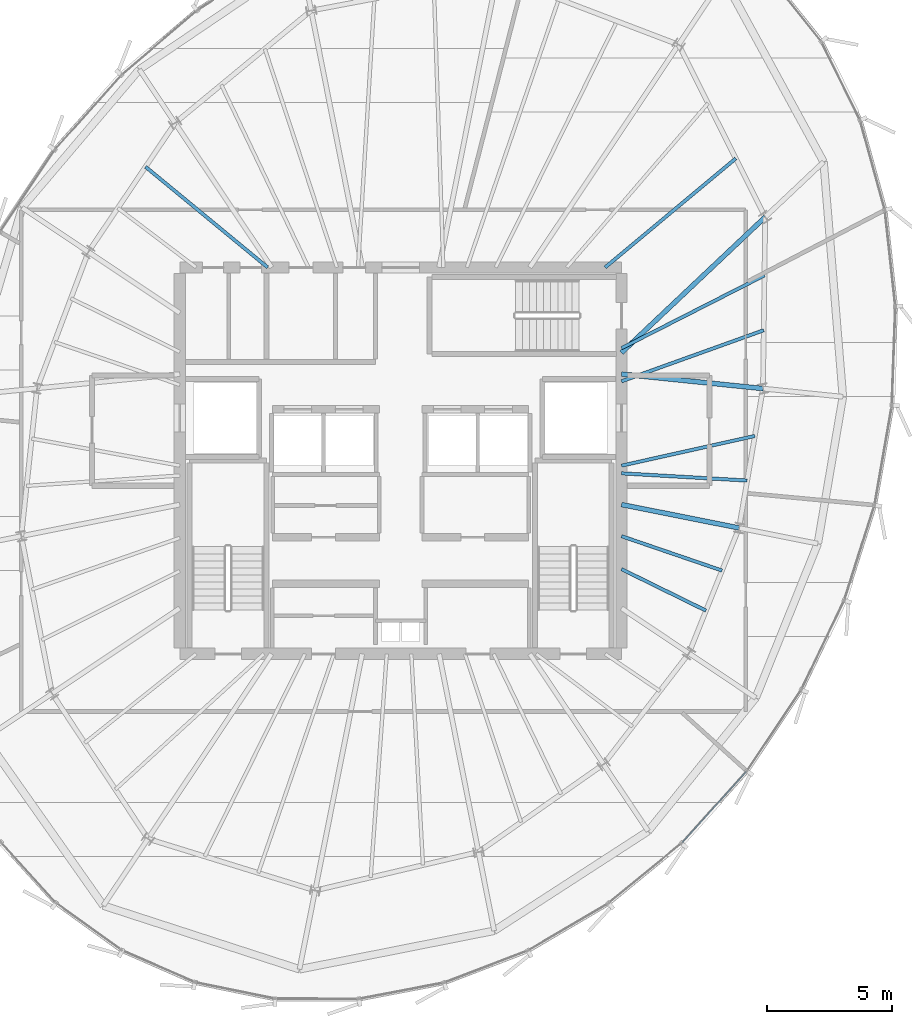
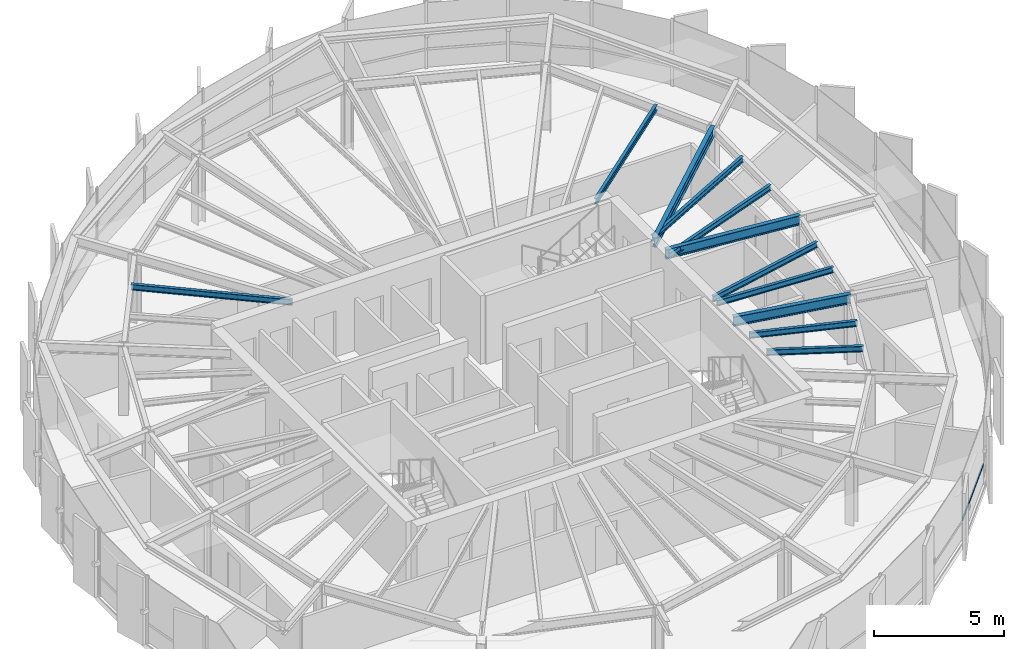
# One storey, part 13 of 31: 11 beams, 1 member, 1 element without a shape of its own.
"""IFC4 building model written with IfcOpenShell, lengths in metres."""

from ifc_helpers import new_model, si_unit, direction, frame, origin, origin_2d, place, context, subcontext, project, spatial, hollow_rectangle, i_section, extrude, source, transform, mapped, material, layer, layer_set, material_profile, profile_set, type_object, element, aggregate, save


model = new_model("IFC4")

# Units and contexts
model_context = context("Model", 3, precision=1e-05, world=origin(), true_north=direction((0.0, 1.0)))
body_context = subcontext(model_context, "Body", "Model", "MODEL_VIEW")
ifc_project = project(units=[si_unit("LENGTHUNIT", "METRE"), si_unit("AREAUNIT", "SQUARE_METRE"), si_unit("VOLUMEUNIT", "CUBIC_METRE"), si_unit("PLANEANGLEUNIT", "RADIAN"), si_unit("MASSUNIT", "GRAM", prefix="KILO"), si_unit("THERMODYNAMICTEMPERATUREUNIT", "KELVIN")], contexts=[model_context])

# Site, building, storey
site_placement = place(None, origin())
site = spatial("IfcSite", under=ifc_project, at=site_placement, CompositionType="ELEMENT")
building_placement = place(site_placement, origin())
building = spatial("IfcBuilding", under=site, at=building_placement, Name="Kethvar Cultural Tower", CompositionType="ELEMENT")
storey_placement = place(building_placement, frame((0.0, 0.0, 276.699951171875)))
storey = spatial("IfcBuildingStorey", under=building, at=storey_placement, Name="L73", CompositionType="ELEMENT", Elevation=276.699951171875)

# Beams
ifc_material_1 = material(Name="Steel S355J2", Category="steel")
ifc_material_profile_1 = material_profile(ifc_material_1, i_section(OverallWidth=0.18994140625, OverallDepth=0.449951171875, WebThickness=0.009521484375, FlangeThickness=0.0146484375, FilletRadius=0.02099609375, at=origin_2d()), Name="Steel S355J2 — IPE450")
ifc_profile_set_1 = profile_set([ifc_material_profile_1], Name="Steel S355J2 — IPE450")
beam_type_1 = type_object("IfcBeamType", Name="BM-IPE450", PredefinedType="BEAM", material=ifc_profile_set_1)
shared_shape_1 = source(origin(), body_context, "Body", "SweptSolid", [
    extrude(i_section(OverallWidth=0.18994140625, OverallDepth=0.449951171875, WebThickness=0.009521484375, FlangeThickness=0.0146484375, FilletRadius=0.02099609375, at=origin_2d()), origin(), (0.0, 0.0, 1.0), 5.66650390625),
])
beam_1_placement = place(storey_placement, frame((55.60009765625, 31.25, 2.983154296875), z_axis=(0.994777513459, -0.102067128476, 0.0), x_axis=(0.102067128476, 0.994777513459, 0.0)))
element("IfcBeam", 1, at=beam_1_placement, inside=storey, type_object=beam_type_1, Name="L73 Primary Radial Beam RB-01", PredefinedType="BEAM", context=body_context, shape_type="MappedRepresentation", body=[
    mapped(shared_shape_1, transform((0.0, 0.0, 0.0), scale=1.0)),
])
shared_shape_2 = source(origin(), body_context, "Body", "SweptSolid", [
    extrude(i_section(OverallWidth=0.18994140625, OverallDepth=0.449951171875, WebThickness=0.009521484375, FlangeThickness=0.0146484375, FilletRadius=0.02099609375, at=origin_2d()), origin(), (0.0, 0.0, 1.0), 7.874267578125),
])
beam_2_placement = place(storey_placement, frame((55.60009765625, 32.10009765625, 2.983154296875), z_axis=(0.727123202456, 0.686506990823, 0.0), x_axis=(-0.686506990823, 0.727123202456, 0.0)))
element("IfcBeam", 2, at=beam_2_placement, inside=storey, type_object=beam_type_1, Name="L73 Primary Radial Beam RB-02", PredefinedType="BEAM", context=body_context, shape_type="MappedRepresentation", body=[
    mapped(shared_shape_2, transform((0.0, 0.0, 0.0), scale=1.0)),
])
shared_shape_3 = source(origin(), body_context, "Body", "SweptSolid", [
    extrude(i_section(OverallWidth=0.18994140625, OverallDepth=0.449951171875, WebThickness=0.009521484375, FlangeThickness=0.0146484375, FilletRadius=0.02099609375, at=origin_2d()), origin(), (0.0, 0.0, 1.0), 4.775390625),
])
beam_3_placement = place(storey_placement, frame((55.60009765625, 26.049560546875, 2.983154296875), z_axis=(0.980784643133, -0.195093525761, 0.0), x_axis=(0.195093525761, 0.980784643133, 0.0)))
element("IfcBeam", 3, at=beam_3_placement, inside=storey, type_object=beam_type_1, Name="L73 Primary Radial Beam RB-16", PredefinedType="BEAM", context=body_context, shape_type="MappedRepresentation", body=[
    mapped(shared_shape_3, transform((0.0, 0.0, 0.0), scale=1.0)),
])
ifc_material_profile_2 = material_profile(ifc_material_1, i_section(OverallWidth=0.135009765625, OverallDepth=0.27001953125, WebThickness=0.006591796875, FlangeThickness=0.01025390625, FilletRadius=0.014892578125, at=origin_2d()), Name="Steel S355J2 — IPE270")
ifc_profile_set_2 = profile_set([ifc_material_profile_2], Name="Steel S355J2 — IPE270")
beam_type_2 = type_object("IfcBeamType", Name="BM-J270", PredefinedType="JOIST", material=ifc_profile_set_2)
shared_shape_4 = source(origin(), body_context, "Body", "SweptSolid", [
    extrude(i_section(OverallWidth=0.135009765625, OverallDepth=0.27001953125, WebThickness=0.006591796875, FlangeThickness=0.01025390625, FilletRadius=0.014892578125, at=origin_2d()), origin(), (0.0, 0.0, 1.0), 6.021240234375),
])
beam_4_placement = place(storey_placement, frame((55.60009765625, 30.960205078125, 3.072998046875), z_axis=(0.94114970072, 0.337990001086, 0.0), x_axis=(-0.337990001086, 0.94114970072, 0.0)))
element("IfcBeam", 4, at=beam_4_placement, inside=storey, type_object=beam_type_2, Name="L73 Composite Floor Joist J-01A", PredefinedType="JOIST", context=body_context, shape_type="MappedRepresentation", body=[
    mapped(shared_shape_4, transform((0.0, 0.0, 0.0), scale=1.0)),
])
shared_shape_5 = source(origin(), body_context, "Body", "SweptSolid", [
    extrude(i_section(OverallWidth=0.135009765625, OverallDepth=0.27001953125, WebThickness=0.006591796875, FlangeThickness=0.01025390625, FilletRadius=0.014892578125, at=origin_2d()), origin(), (0.0, 0.0, 1.0), 6.3916015625),
])
beam_5_placement = place(storey_placement, frame((55.60009765625, 32.281494140625, 3.072998046875), z_axis=(0.891094874615, 0.453817060538, 0.0), x_axis=(-0.453817060538, 0.891094874615, 0.0)))
element("IfcBeam", 5, at=beam_5_placement, inside=storey, type_object=beam_type_2, Name="L73 Composite Floor Joist J-01B", PredefinedType="JOIST", context=body_context, shape_type="MappedRepresentation", body=[
    mapped(shared_shape_5, transform((0.0, 0.0, 0.0), scale=1.0)),
])
shared_shape_6 = source(origin(), body_context, "Body", "SweptSolid", [
    extrude(i_section(OverallWidth=0.135009765625, OverallDepth=0.27001953125, WebThickness=0.006591796875, FlangeThickness=0.01025390625, FilletRadius=0.014892578125, at=origin_2d()), origin(), (0.0, 0.0, 1.0), 6.776123046875),
])
beam_6_placement = place(storey_placement, frame((54.949951171875, 35.5, 3.072998046875), z_axis=(0.767801747857, 0.6406875026, 0.0), x_axis=(-0.6406875026, 0.767801747857, 0.0)))
element("IfcBeam", 6, at=beam_6_placement, inside=storey, type_object=beam_type_2, Name="L73 Composite Floor Joist J-02A", PredefinedType="JOIST", context=body_context, shape_type="MappedRepresentation", body=[
    mapped(shared_shape_6, transform((0.0, 0.0, 0.0), scale=1.0)),
])
shared_shape_7 = source(origin(), body_context, "Body", "SweptSolid", [
    extrude(i_section(OverallWidth=0.135009765625, OverallDepth=0.27001953125, WebThickness=0.006591796875, FlangeThickness=0.01025390625, FilletRadius=0.014892578125, at=origin_2d()), origin(), (0.0, 0.0, 1.0), 6.302978515625),
])
beam_7_placement = place(storey_placement, frame((41.5, 35.5, 3.072998046875), z_axis=(-0.771828477148, 0.635830796567, 0.0), x_axis=(-0.635830796567, -0.771828477148, 0.0)))
element("IfcBeam", 7, at=beam_7_placement, inside=storey, type_object=beam_type_2, Name="L73 Composite Floor Joist J-06A", PredefinedType="JOIST", context=body_context, shape_type="MappedRepresentation", body=[
    mapped(shared_shape_7, transform((0.0, 0.0, 0.0), scale=1.0)),
])
shared_shape_8 = source(origin(), body_context, "Body", "SweptSolid", [
    extrude(i_section(OverallWidth=0.135009765625, OverallDepth=0.27001953125, WebThickness=0.006591796875, FlangeThickness=0.01025390625, FilletRadius=0.014892578125, at=origin_2d()), origin(), (0.0, 0.0, 1.0), 3.75),
])
beam_8_placement = place(storey_placement, frame((55.60009765625, 23.476318359375, 3.072998046875), z_axis=(0.8975046019, -0.441005090184, 0.0), x_axis=(0.441005090184, 0.8975046019, 0.0)))
element("IfcBeam", 8, at=beam_8_placement, inside=storey, type_object=beam_type_2, Name="L73 Composite Floor Joist J-15A", PredefinedType="JOIST", context=body_context, shape_type="MappedRepresentation", body=[
    mapped(shared_shape_8, transform((0.0, 0.0, 0.0), scale=1.0)),
])
shared_shape_9 = source(origin(), body_context, "Body", "SweptSolid", [
    extrude(i_section(OverallWidth=0.135009765625, OverallDepth=0.27001953125, WebThickness=0.006591796875, FlangeThickness=0.01025390625, FilletRadius=0.014892578125, at=origin_2d()), origin(), (0.0, 0.0, 1.0), 4.232421875),
])
beam_9_placement = place(storey_placement, frame((55.60009765625, 24.7900390625, 3.072998046875), z_axis=(0.946173747357, -0.323659141402, 0.0), x_axis=(0.323659141402, 0.946173747357, 0.0)))
element("IfcBeam", 9, at=beam_9_placement, inside=storey, type_object=beam_type_2, Name="L73 Composite Floor Joist J-15B", PredefinedType="JOIST", context=body_context, shape_type="MappedRepresentation", body=[
    mapped(shared_shape_9, transform((0.0, 0.0, 0.0), scale=1.0)),
])
shared_shape_10 = source(origin(), body_context, "Body", "SweptSolid", [
    extrude(i_section(OverallWidth=0.135009765625, OverallDepth=0.27001953125, WebThickness=0.006591796875, FlangeThickness=0.01025390625, FilletRadius=0.014892578125, at=origin_2d()), origin(), (0.0, 0.0, 1.0), 5.01611328125),
])
beam_10_placement = place(storey_placement, frame((55.60009765625, 27.294189453125, 3.072998046875), z_axis=(0.998352190078, -0.057383835418, 0.0), x_axis=(0.057383835418, 0.998352190078, 0.0)))
element("IfcBeam", 10, at=beam_10_placement, inside=storey, type_object=beam_type_2, Name="L73 Composite Floor Joist J-16A", PredefinedType="JOIST", context=body_context, shape_type="MappedRepresentation", body=[
    mapped(shared_shape_10, transform((0.0, 0.0, 0.0), scale=1.0)),
])
shared_shape_11 = source(origin(), body_context, "Body", "SweptSolid", [
    extrude(i_section(OverallWidth=0.135009765625, OverallDepth=0.27001953125, WebThickness=0.006591796875, FlangeThickness=0.01025390625, FilletRadius=0.014892578125, at=origin_2d()), origin(), (0.0, 0.0, 1.0), 5.44287109375),
])
beam_11_placement = place(storey_placement, frame((55.60009765625, 27.60009765625, 3.072998046875), z_axis=(0.976080346759, 0.217410111702, 0.0), x_axis=(-0.217410111702, 0.976080346759, 0.0)))
element("IfcBeam", 11, at=beam_11_placement, inside=storey, type_object=beam_type_2, Name="L73 Composite Floor Joist J-16B", PredefinedType="JOIST", context=body_context, shape_type="MappedRepresentation", body=[
    mapped(shared_shape_11, transform((0.0, 0.0, 0.0), scale=1.0)),
])

# Curtain wall, member
ifc_material_2 = material(Name="Aluminium 6063-T6", Category="aluminium")
ifc_layer = layer(ifc_material_2, 0.179931640625, Name="Aluminium 6063-T6", Category="aluminium")
ifc_layer_set = layer_set([ifc_layer], Name="Aluminium 6063-T6 (180 mm)")
curtain_wall_type = type_object("IfcCurtainWallType", Name="CW-SYS-05-Z56", PredefinedType="NOTDEFINED", material=ifc_layer_set)
curtain_wall_placement = place(storey_placement, origin())
curtain_wall = element("IfcCurtainWall", 12, at=curtain_wall_placement, inside=storey, type_object=curtain_wall_type, Name="L73 Curtain Wall Run 05", PredefinedType="NOTDEFINED")
ifc_material_profile_3 = material_profile(ifc_material_2, hollow_rectangle(XDim=0.050048828125, YDim=0.10009765625, WallThickness=0.00390625, at=origin_2d()), Name="Aluminium 6063-T6 — RHS100x50x4")
ifc_profile_set_3 = profile_set([ifc_material_profile_3], Name="Aluminium 6063-T6 — RHS100x50x4")
member_type = type_object("IfcMemberType", Name="CW-SYS-05-Z56-TRN", PredefinedType="USERDEFINED", material=ifc_profile_set_3)
shared_shape_12 = source(origin(), body_context, "Body", "SweptSolid", [
    extrude(hollow_rectangle(XDim=0.050048828125, YDim=0.10009765625, WallThickness=0.00390625, at=origin_2d()), origin(), (0.0, 0.0, 1.0), 3.808837890625),
])
member_placement = place(storey_placement, frame((58.022216796875, 12.58740234375, 0.949951171875), z_axis=(0.670266899947, 0.742120126957, 0.0), x_axis=(-0.742120126957, 0.670266899947, 0.0)))
member = element("IfcMember", 13, at=member_placement, type_object=member_type, Name="CW-L73-R05 Transom 2", ObjectType="TRANSOM", PredefinedType="USERDEFINED", context=body_context, shape_type="MappedRepresentation", body=[
    mapped(shared_shape_12, transform((0.0, 0.0, 0.0), scale=1.0)),
])
aggregate(curtain_wall, [member])

save(model, "model.ifc")
